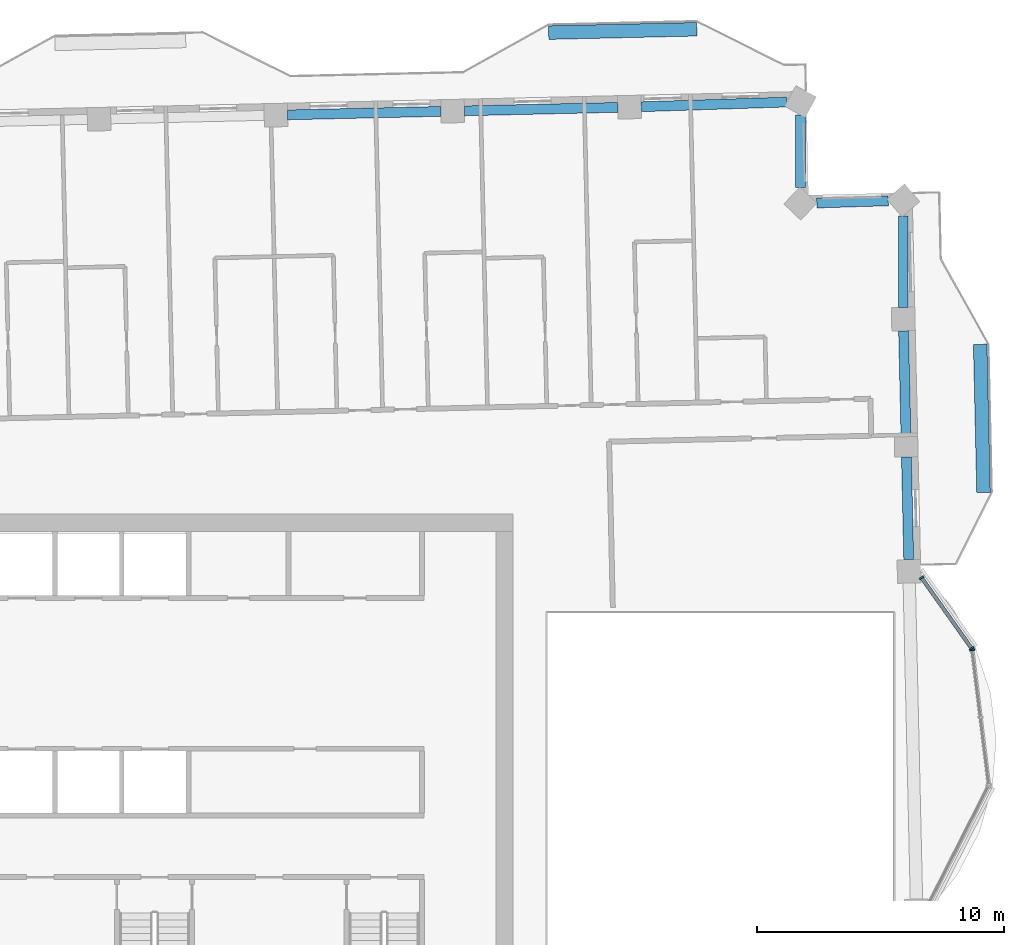
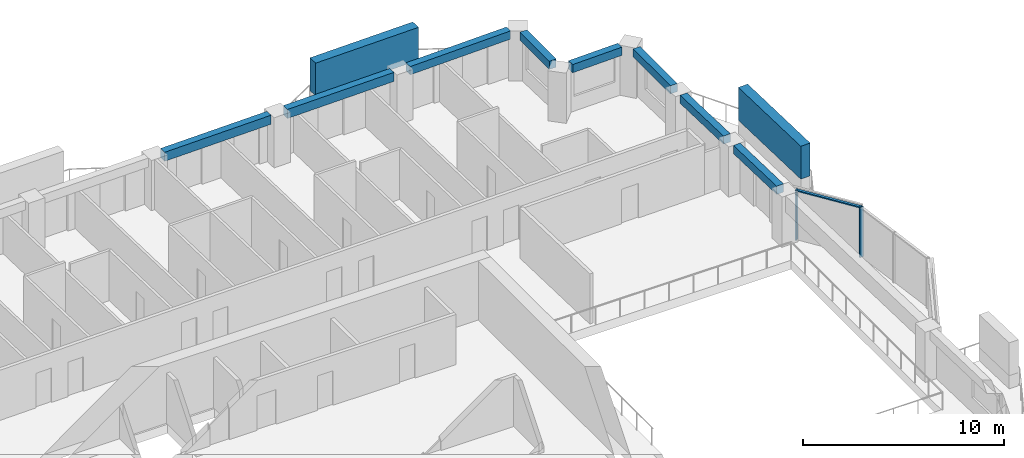
# One storey, part 4 of 18: 8 beams, 6 members, 2 elements without a shape of their own.
"""IFC4 building model written with IfcOpenShell, lengths in metres."""

from ifc_helpers import new_model, si_unit, direction, frame, origin, origin_2d, place, context, subcontext, project, spatial, rectangle, extrude, material, material_profile, profile_set, type_object, element, aggregate, save


model = new_model("IFC4")

# Units and contexts
model_context = context("Model", 3, precision=1e-05, world=origin(), true_north=direction((0.0, 1.0)))
body_context = subcontext(model_context, "Body", "Model", "MODEL_VIEW")
ifc_project = project(units=[si_unit("LENGTHUNIT", "METRE"), si_unit("AREAUNIT", "SQUARE_METRE"), si_unit("VOLUMEUNIT", "CUBIC_METRE"), si_unit("PLANEANGLEUNIT", "RADIAN"), si_unit("MASSUNIT", "GRAM", prefix="KILO")], contexts=[model_context])

# Site, building, storey
site_placement = place(None, origin())
site = spatial("IfcSite", under=ifc_project, at=site_placement, CompositionType="ELEMENT")
building_placement = place(site_placement, origin())
building = spatial("IfcBuilding", under=site, at=building_placement, Name="Mangrove Gate Tower", CompositionType="ELEMENT")
storey_placement = place(building_placement, frame((0.0, 0.0, 290.699951171875)))
storey = spatial("IfcBuildingStorey", under=building, at=storey_placement, Name="L74", CompositionType="ELEMENT", Elevation=290.699951171875)

# Curtain wall, member
ifc_material_1 = material(Name="Aluminium and glass curtain wall", Category="aluminium")
curtain_wall_type = type_object("IfcCurtainWallType", Name="Atrium garden-court glazing wall", PredefinedType="NOTDEFINED", material=ifc_material_1)
curtain_wall_1_placement = place(storey_placement, origin())
curtain_wall_1 = element("IfcCurtainWall", 1, at=curtain_wall_1_placement, inside=storey, type_object=curtain_wall_type, Name="Atrium garden-court glazing E1f2", PredefinedType="NOTDEFINED")
ifc_material_2 = material(Name="Aluminium alloy 6063-T6", Category="aluminium")
ifc_material_profile_1 = material_profile(ifc_material_2, rectangle(XDim=0.070068359375, YDim=0.199951171875, at=origin_2d()))
ifc_profile_set_1 = profile_set([ifc_material_profile_1], Name="Aluminium alloy 6063-T6")
member_type_1 = type_object("IfcMemberType", Name="Atrium garden-court glazing mullion 70x200", PredefinedType="MULLION", material=ifc_profile_set_1)
member_1_placement = place(storey_placement, frame((33.087158203125, 6.0029296875, 0.0), z_axis=(0.0, 0.0, 1.0), x_axis=(-0.122172285885, 0.992508908051, 0.0)))
member_1 = element("IfcMember", 2, at=member_1_placement, type_object=member_type_1, Name="CWA mullion 3", PredefinedType="MULLION", context=body_context, shape_type="SweptSolid", body=[
    extrude(rectangle(XDim=0.070068359375, YDim=0.199951171875, at=origin_2d()), origin(), (0.0, 0.0, 1.0), 3.050048828125),
])
aggregate(curtain_wall_1, [member_1])

# Curtain wall, members
curtain_wall_2_placement = place(storey_placement, origin())
curtain_wall_2 = element("IfcCurtainWall", 3, at=curtain_wall_2_placement, inside=storey, type_object=curtain_wall_type, Name="Atrium garden-court glazing E1f3", PredefinedType="NOTDEFINED")
member_2_placement = place(storey_placement, frame((33.062744140625, 6.06640625, 0.0), z_axis=(0.0, 0.0, 1.0), x_axis=(-0.578135022674, 0.815941110349, 0.0)))
member_2 = element("IfcMember", 4, at=member_2_placement, type_object=member_type_1, Name="CWA mullion 1", PredefinedType="MULLION", context=body_context, shape_type="SweptSolid", body=[
    extrude(rectangle(XDim=0.070068359375, YDim=0.199951171875, at=origin_2d()), origin(), (0.0, 0.0, 1.0), 3.050048828125),
])
member_3_placement = place(storey_placement, frame((31.039794921875, 8.92138671875, 0.0), z_axis=(0.0, 0.0, 1.0), x_axis=(-0.578135022674, 0.815941110349, 0.0)))
member_3 = element("IfcMember", 5, at=member_3_placement, type_object=member_type_1, Name="CWA mullion 2", PredefinedType="MULLION", context=body_context, shape_type="SweptSolid", body=[
    extrude(rectangle(XDim=0.070068359375, YDim=0.199951171875, at=origin_2d()), origin(), (0.0, 0.0, 1.0), 3.050048828125),
])
ifc_material_3 = material(Name="Aluminium alloy 6063-T6", Category="aluminium")
ifc_material_profile_2 = material_profile(ifc_material_3, rectangle(XDim=0.070068359375, YDim=0.14990234375, at=origin_2d()))
ifc_profile_set_2 = profile_set([ifc_material_profile_2], Name="Aluminium alloy 6063-T6")
member_type_2 = type_object("IfcMemberType", Name="Atrium garden-court glazing transom 70x150", PredefinedType="USERDEFINED", material=ifc_profile_set_2)
member_4_placement = place(storey_placement, frame((33.04248046875, 6.094970703125, 3.01513671875), z_axis=(-0.578135862494, 0.815940515294, 0.0), x_axis=(0.0, 0.0, 1.0)))
member_4 = element("IfcMember", 6, at=member_4_placement, type_object=member_type_2, Name="CWA transom 1.2", ObjectType="TRANSOM", PredefinedType="USERDEFINED", context=body_context, shape_type="SweptSolid", body=[
    extrude(rectangle(XDim=0.070068359375, YDim=0.14990234375, at=origin_2d()), origin(), (0.0, 0.0, 1.0), 3.428955078125),
])
aggregate(curtain_wall_2, [member_2, member_3, member_4])

# Members
ifc_material_4 = material(Name="Planting on aluminium trellis", Category="aluminium")
ifc_material_profile_3 = material_profile(ifc_material_4, rectangle(XDim=0.550048828125, YDim=2.0, at=origin_2d()))
ifc_profile_set_3 = profile_set([ifc_material_profile_3], Name="Planting on aluminium trellis")
member_type_3 = type_object("IfcMemberType", Name="Balcony greenery screen 550x2000", PredefinedType="USERDEFINED", material=ifc_profile_set_3)
for number, where, z_axis, x_axis, name in (
    (7, (33.548095703125, 12.3779296875, 1.800048828125), (-0.022665943652, 0.999743094499, 0.0), (-0.999743094499, -0.022665943652, 0.0), "GREEN SCREEN L74 E1.1"),
    (8, (15.93798828125, 30.998046875, 1.800048828125), (0.999743094499, 0.022665943652, 0.0), (-0.022665943652, 0.999743094499, 0.0), "GREEN SCREEN L74 N0.1"),
):
    element("IfcMember", number, at=place(storey_placement, frame(where, z_axis=z_axis, x_axis=x_axis)), inside=storey, type_object=member_type_3, Name=name, ObjectType="PLANTING", PredefinedType="USERDEFINED", context=body_context, shape_type="SweptSolid", body=[
        extrude(rectangle(XDim=0.550048828125, YDim=2.0, at=origin_2d()), origin(), (0.0, 0.0, 1.0), 5.99951171875),
    ])

# Beams
ifc_material_5 = material(Name="Concrete C50/60", Category="concrete")
ifc_material_profile_4 = material_profile(ifc_material_5, rectangle(XDim=0.39990234375, YDim=0.5, at=origin_2d()))
ifc_profile_set_4 = profile_set([ifc_material_profile_4], Name="Concrete C50/60")
beam_type_1 = type_object("IfcBeamType", Name="Edge beam RC 400x500 C50/60", PredefinedType="BEAM", material=ifc_profile_set_4)
for number, where, z_axis, x_axis, name in (
    (9, (30.518310546875, 9.658203125, 2.800048828125), (-0.022486678156, 0.999747142684, 0.0), (-0.999747142684, -0.022486678156, 0.0), "Edge beam L74 17"),
    (10, (30.4033203125, 14.76513671875, 2.800048828125), (-0.022721405353, 0.999741835545, 0.0), (-0.999741835545, -0.022721405353, 0.0), "Edge beam L74 18"),
):
    element("IfcBeam", number, at=place(storey_placement, frame(where, z_axis=z_axis, x_axis=x_axis)), inside=storey, type_object=beam_type_1, Name=name, PredefinedType="BEAM", context=body_context, shape_type="SweptSolid", body=[
        extrude(rectangle(XDim=0.39990234375, YDim=0.5, at=origin_2d()), origin(), (0.0, 0.0, 1.0), 4.158203125),
    ])
beam_1_placement = place(storey_placement, frame((30.298095703125, 19.872314453125, 2.800048828125), z_axis=(-0.000263504602, 0.999999965283, 0.0), x_axis=(-0.999999965283, -0.000263504602, 0.0)))
element("IfcBeam", 11, at=beam_1_placement, inside=storey, type_object=beam_type_1, Name="Edge beam L74 19", PredefinedType="BEAM", context=body_context, shape_type="SweptSolid", body=[
    extrude(rectangle(XDim=0.39990234375, YDim=0.5, at=origin_2d()), origin(), (0.0, 0.0, 1.0), 3.7060546875),
])
beam_2_placement = place(storey_placement, frame((29.6865234375, 24.186279296875, 2.800048828125), z_axis=(-0.99952516479, -0.030813064624, 0.0), x_axis=(0.030813064624, -0.99952516479, 0.0)))
element("IfcBeam", 12, at=beam_2_placement, inside=storey, type_object=beam_type_1, Name="Edge beam L74 20", PredefinedType="BEAM", context=body_context, shape_type="SweptSolid", body=[
    extrude(rectangle(XDim=0.39990234375, YDim=0.5, at=origin_2d()), origin(), (0.0, 0.0, 1.0), 2.89208984375),
])
beam_3_placement = place(storey_placement, frame((26.130126953125, 24.7333984375, 2.800048828125), z_axis=(0.00058381975, 0.999999829577, 0.0), x_axis=(-0.999999829577, 0.00058381975, 0.0)))
element("IfcBeam", 13, at=beam_3_placement, inside=storey, type_object=beam_type_1, Name="Edge beam L74 21", PredefinedType="BEAM", context=body_context, shape_type="SweptSolid", body=[
    extrude(rectangle(XDim=0.39990234375, YDim=0.5, at=origin_2d()), origin(), (0.0, 0.0, 1.0), 2.92724609375),
])
beam_4_placement = place(storey_placement, frame((25.57861328125, 28.18603515625, 2.800048828125), z_axis=(-0.999481964138, -0.032183899135, 0.0), x_axis=(0.032183899135, -0.999481964138, 0.0)))
element("IfcBeam", 14, at=beam_4_placement, inside=storey, type_object=beam_type_1, Name="Edge beam L74 22", PredefinedType="BEAM", context=body_context, shape_type="SweptSolid", body=[
    extrude(rectangle(XDim=0.39990234375, YDim=0.5, at=origin_2d()), origin(), (0.0, 0.0, 1.0), 5.894287109375),
])
ifc_material_6 = material(Name="Concrete C50/60", Category="concrete")
ifc_material_profile_5 = material_profile(ifc_material_6, rectangle(XDim=0.39990234375, YDim=0.550048828125, at=origin_2d()))
ifc_profile_set_5 = profile_set([ifc_material_profile_5], Name="Concrete C50/60")
beam_type_2 = type_object("IfcBeamType", Name="Edge beam RC 400x550 C50/60", PredefinedType="BEAM", material=ifc_profile_set_5)
beam_5_placement = place(storey_placement, frame((18.73779296875, 27.970458984375, 2.775146484375), z_axis=(-0.999743719116, -0.022638376468, 0.0), x_axis=(0.022638376468, -0.999743719116, 0.0)))
element("IfcBeam", 15, at=beam_5_placement, inside=storey, type_object=beam_type_2, Name="Edge beam L74 23", PredefinedType="BEAM", context=body_context, shape_type="SweptSolid", body=[
    extrude(rectangle(XDim=0.39990234375, YDim=0.550048828125, at=origin_2d()), origin(), (0.0, 0.0, 1.0), 6.2119140625),
])
beam_6_placement = place(storey_placement, frame((11.577880859375, 27.808349609375, 2.775146484375), z_axis=(-0.999741125002, -0.022752647749, 0.0), x_axis=(0.022752647749, -0.999741125002, 0.0)))
element("IfcBeam", 16, at=beam_6_placement, inside=storey, type_object=beam_type_2, Name="Edge beam L74 24", PredefinedType="BEAM", context=body_context, shape_type="SweptSolid", body=[
    extrude(rectangle(XDim=0.39990234375, YDim=0.550048828125, at=origin_2d()), origin(), (0.0, 0.0, 1.0), 6.212890625),
])

save(model, "model.ifc")
